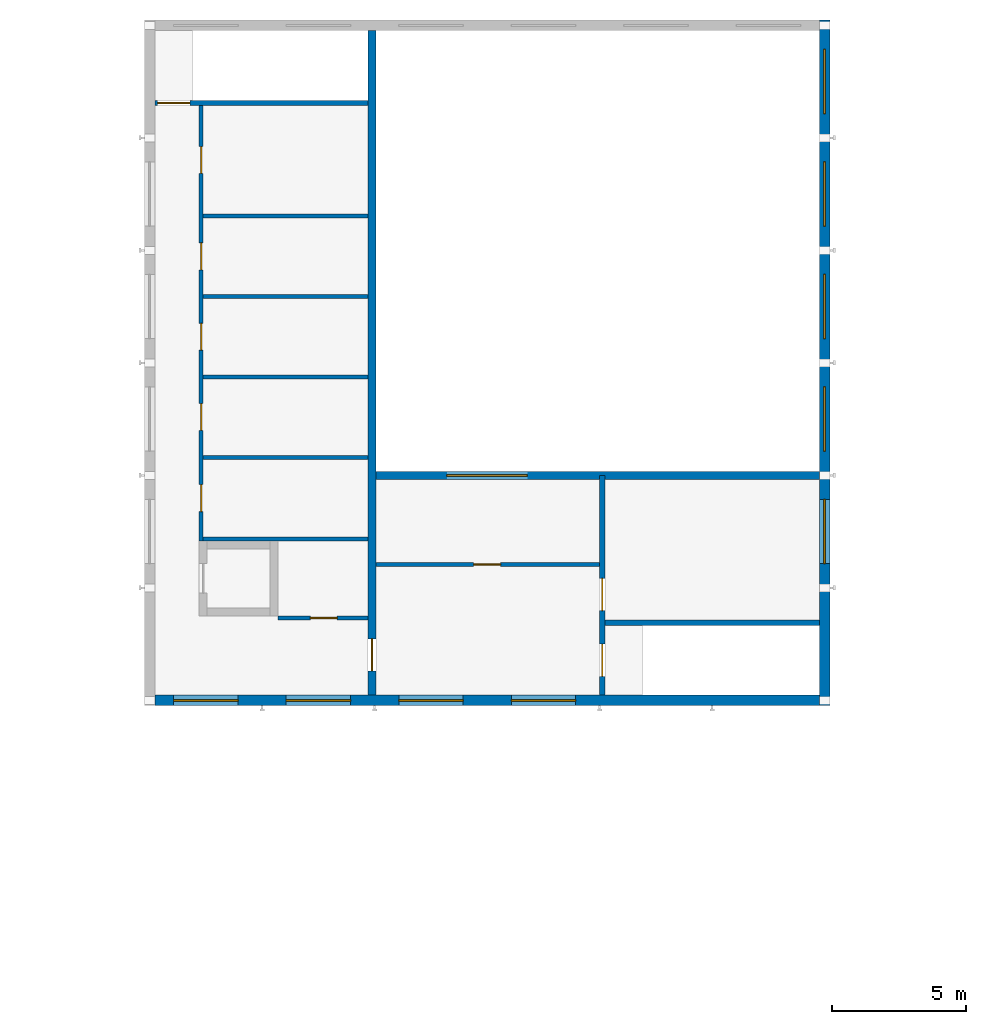
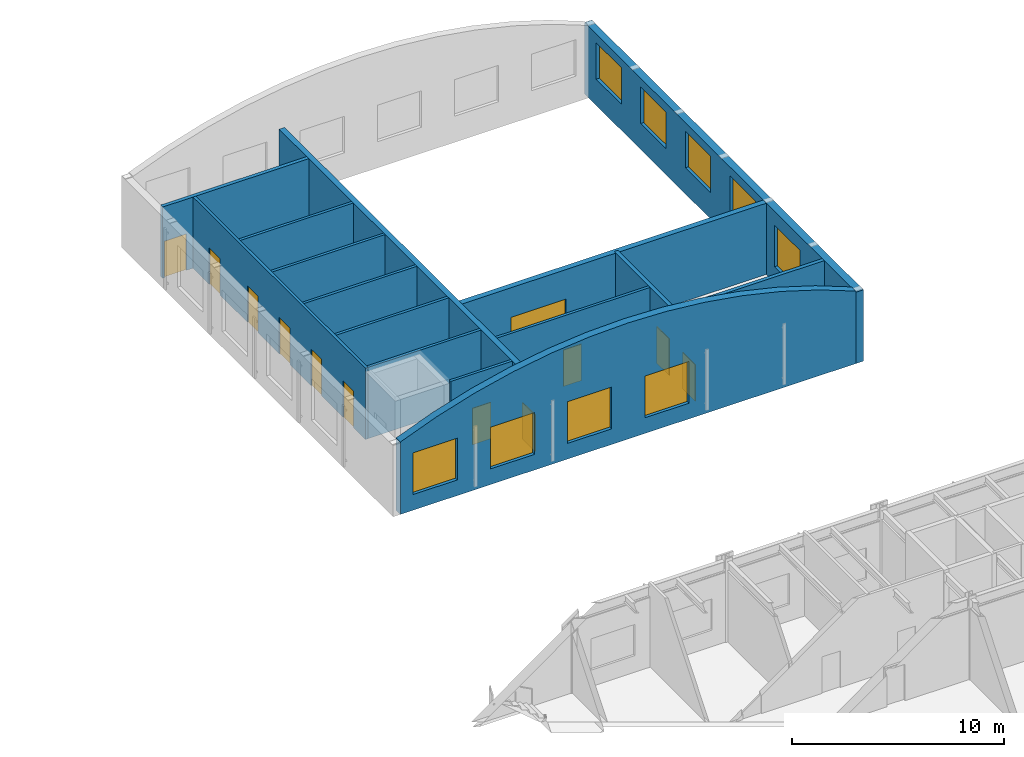
# One storey, part 84 of 127: 15 walls, 11 doors, 10 windows, 21 openings.
"""IFC4 building model written with IfcOpenShell, lengths in metres."""

from ifc_helpers import new_model, si_unit, direction, frame, frame_2d, origin, place, context, subcontext, project, spatial, polyline, rectangle, outline, extrude, material, layer, layer_set, type_object, element, fill, save


model = new_model("IFC4")

# Units and contexts
model_context = context("Model", 3, precision=1e-05, world=origin(), true_north=direction((0.0, 1.0)))
body_context = subcontext(model_context, "Body", "Model", "MODEL_VIEW")
ifc_project = project(units=[si_unit("LENGTHUNIT", "METRE"), si_unit("AREAUNIT", "SQUARE_METRE"), si_unit("VOLUMEUNIT", "CUBIC_METRE"), si_unit("PLANEANGLEUNIT", "RADIAN"), si_unit("MASSUNIT", "GRAM", prefix="KILO")], contexts=[model_context])

# Site, building, storey
site_placement = place(None, origin())
site = spatial("IfcSite", under=ifc_project, at=site_placement, CompositionType="ELEMENT")
building_placement = place(site_placement, origin())
building = spatial("IfcBuilding", under=site, at=building_placement, Name="Ljudholm Concert House", CompositionType="ELEMENT")
storey_placement = place(building_placement, frame((0.0, 0.0, 5.39990234375)))
storey = spatial("IfcBuildingStorey", under=building, at=storey_placement, Name="L01", CompositionType="ELEMENT", Elevation=5.39990234375)

# Wall, openings, doors
ifc_material_1 = material(Name="Gypsum board on steel studs", Category="steel")
ifc_layer_1 = layer(ifc_material_1, 0.14990234375)
ifc_layer_set_1 = layer_set([ifc_layer_1], Name="Gypsum board on steel studs")
wall_type_1 = type_object("IfcWallType", Name="GYPSUM PARTITION 150", PredefinedType="PARTITIONING", material=ifc_layer_set_1)
wall_1_placement = place(storey_placement, frame((64.72509765625, 152.75, 0.0), z_axis=(0.0, 0.0, 1.0), x_axis=(0.0, 1.0, 0.0)))
wall_1 = element("IfcWall", 1, at=wall_1_placement, inside=storey, type_object=wall_type_1, Name="Room partition", PredefinedType="PARTITIONING", context=body_context, shape_type="SweptSolid", body=[
    extrude(rectangle(XDim=16.25, YDim=0.14990234375, at=frame_2d((8.125, 0.0))), origin(), (0.0, 0.0, 1.0), 4.10009765625),
])
opening_1_placement = place(wall_1_placement, frame((1.10009765625, 0.0, 0.0)))
opening_1 = element("IfcOpeningElement", 2, at=opening_1_placement, cuts=wall_1, Name="Opening D-E01-002", PredefinedType="OPENING", context=body_context, shape_type="SweptSolid", body=[
    extrude(rectangle(XDim=1.0, YDim=2.10009765625, at=frame_2d((0.5, 1.050048828125))), frame((0.0, 0.0849609375, 0.0), z_axis=(0.0, -1.0, 0.0), x_axis=(1.0, 0.0, 0.0)), (0.0, 0.0, 1.0), 0.169921875),
])
opening_2_placement = place(wall_1_placement, frame((4.125, 0.0, 0.0)))
opening_2 = element("IfcOpeningElement", 3, at=opening_2_placement, cuts=wall_1, Name="Opening D-E01-003", PredefinedType="OPENING", context=body_context, shape_type="SweptSolid", body=[
    extrude(rectangle(XDim=1.0, YDim=2.10009765625, at=frame_2d((0.5, 1.050048828125))), frame((0.0, 0.0849609375, 0.0), z_axis=(0.0, -1.0, 0.0), x_axis=(1.0, 0.0, 0.0)), (0.0, 0.0, 1.0), 0.169921875),
])
opening_3_placement = place(wall_1_placement, frame((7.125, 0.0, 0.0)))
opening_3 = element("IfcOpeningElement", 4, at=opening_3_placement, cuts=wall_1, Name="Opening D-E01-004", PredefinedType="OPENING", context=body_context, shape_type="SweptSolid", body=[
    extrude(rectangle(XDim=1.0, YDim=2.10009765625, at=frame_2d((0.5, 1.050048828125))), frame((0.0, 0.0849609375, 0.0), z_axis=(0.0, -1.0, 0.0), x_axis=(1.0, 0.0, 0.0)), (0.0, 0.0, 1.0), 0.169921875),
])
opening_4_placement = place(wall_1_placement, frame((10.125, 0.0, 0.0)))
opening_4 = element("IfcOpeningElement", 5, at=opening_4_placement, cuts=wall_1, Name="Opening D-E01-005", PredefinedType="OPENING", context=body_context, shape_type="SweptSolid", body=[
    extrude(rectangle(XDim=1.0, YDim=2.10009765625, at=frame_2d((0.5, 1.050048828125))), frame((0.0, 0.0849609375, 0.0), z_axis=(0.0, -1.0, 0.0), x_axis=(1.0, 0.0, 0.0)), (0.0, 0.0, 1.0), 0.169921875),
])
opening_5_placement = place(wall_1_placement, frame((13.72509765625, 0.0, 0.0)))
opening_5 = element("IfcOpeningElement", 6, at=opening_5_placement, cuts=wall_1, Name="Opening D-E01-006", PredefinedType="OPENING", context=body_context, shape_type="SweptSolid", body=[
    extrude(rectangle(XDim=1.0, YDim=2.10009765625, at=frame_2d((0.5, 1.050048828125))), frame((0.0, 0.0849609375, 0.0), z_axis=(0.0, -1.0, 0.0), x_axis=(1.0, 0.0, 0.0)), (0.0, 0.0, 1.0), 0.169921875),
])
ifc_material_2 = material(Name="Hollow metal door in steel frame", Category="steel")
door_type_1 = type_object("IfcDoorType", Name="SWING DOOR 1000x2100", OperationType="SINGLE_SWING_LEFT", PredefinedType="DOOR", material=ifc_material_2)
door_1_placement = place(opening_1_placement, frame((1.0, 0.0, 0.0), z_axis=(0.0, 0.0, 1.0), x_axis=(-1.0, 0.0, 0.0)))
door_1 = element("IfcDoor", 7, at=door_1_placement, inside=storey, type_object=door_type_1, Name="Practice Room 1 door", OperationType="SINGLE_SWING_LEFT", OverallHeight=2.10009765625, OverallWidth=1.0, PredefinedType="DOOR", context=body_context, shape_type="SweptSolid", body=[
    extrude(rectangle(XDim=1.0, YDim=2.10009765625, at=frame_2d((0.5, 1.050048828125))), frame((0.0, 0.02490234375, 0.0), z_axis=(0.0, -1.0, 0.0), x_axis=(1.0, 0.0, 0.0)), (0.0, 0.0, 1.0), 0.050048828125),
])
fill(opening_1, door_1)
door_2_placement = place(opening_2_placement, frame((1.0, 0.0, 0.0), z_axis=(0.0, 0.0, 1.0), x_axis=(-1.0, 0.0, 0.0)))
door_2 = element("IfcDoor", 8, at=door_2_placement, inside=storey, type_object=door_type_1, Name="Practice Room 2 door", OperationType="SINGLE_SWING_RIGHT", OverallHeight=2.10009765625, OverallWidth=1.0, PredefinedType="DOOR", context=body_context, shape_type="SweptSolid", body=[
    extrude(rectangle(XDim=1.0, YDim=2.10009765625, at=frame_2d((0.5, 1.050048828125))), frame((0.0, 0.02490234375, 0.0), z_axis=(0.0, -1.0, 0.0), x_axis=(1.0, 0.0, 0.0)), (0.0, 0.0, 1.0), 0.050048828125),
])
fill(opening_2, door_2)
door_3_placement = place(opening_3_placement, frame((1.0, 0.0, 0.0), z_axis=(0.0, 0.0, 1.0), x_axis=(-1.0, 0.0, 0.0)))
door_3 = element("IfcDoor", 9, at=door_3_placement, inside=storey, type_object=door_type_1, Name="Practice Room 3 door", OperationType="SINGLE_SWING_RIGHT", OverallHeight=2.10009765625, OverallWidth=1.0, PredefinedType="DOOR", context=body_context, shape_type="SweptSolid", body=[
    extrude(rectangle(XDim=1.0, YDim=2.10009765625, at=frame_2d((0.5, 1.050048828125))), frame((0.0, 0.02490234375, 0.0), z_axis=(0.0, -1.0, 0.0), x_axis=(1.0, 0.0, 0.0)), (0.0, 0.0, 1.0), 0.050048828125),
])
fill(opening_3, door_3)
door_4_placement = place(opening_4_placement, frame((1.0, 0.0, 0.0), z_axis=(0.0, 0.0, 1.0), x_axis=(-1.0, 0.0, 0.0)))
door_4 = element("IfcDoor", 10, at=door_4_placement, inside=storey, type_object=door_type_1, Name="Practice Room 4 door", OperationType="SINGLE_SWING_RIGHT", OverallHeight=2.10009765625, OverallWidth=1.0, PredefinedType="DOOR", context=body_context, shape_type="SweptSolid", body=[
    extrude(rectangle(XDim=1.0, YDim=2.10009765625, at=frame_2d((0.5, 1.050048828125))), frame((0.0, 0.02490234375, 0.0), z_axis=(0.0, -1.0, 0.0), x_axis=(1.0, 0.0, 0.0)), (0.0, 0.0, 1.0), 0.050048828125),
])
fill(opening_4, door_4)
door_5_placement = place(opening_5_placement, frame((1.0, 0.0, 0.0), z_axis=(0.0, 0.0, 1.0), x_axis=(-1.0, 0.0, 0.0)))
door_5 = element("IfcDoor", 11, at=door_5_placement, inside=storey, type_object=door_type_1, Name="Dressing Room 2 door", OperationType="SINGLE_SWING_RIGHT", OverallHeight=2.10009765625, OverallWidth=1.0, PredefinedType="DOOR", context=body_context, shape_type="SweptSolid", body=[
    extrude(rectangle(XDim=1.0, YDim=2.10009765625, at=frame_2d((0.5, 1.050048828125))), frame((0.0, 0.02490234375, 0.0), z_axis=(0.0, -1.0, 0.0), x_axis=(1.0, 0.0, 0.0)), (0.0, 0.0, 1.0), 0.050048828125),
])
fill(opening_5, door_5)

# Walls
for number, where, z_axis, x_axis, name in (
    (12, (64.800048828125, 152.824951171875, 0.0), (0.0, 0.0, 1.0), (1.0, 0.0, 0.0), "Room partition"),
    (13, (64.800048828125, 155.875, 0.0), (0.0, 0.0, 1.0), (1.0, 0.0, 0.0), "Room partition"),
    (14, (64.800048828125, 158.875, 0.0), (0.0, 0.0, 1.0), (1.0, 0.0, 0.0), "Room partition"),
    (15, (64.800048828125, 161.875, 0.0), (0.0, 0.0, 1.0), (1.0, 0.0, 0.0), "Room partition"),
    (16, (64.800048828125, 164.875, 0.0), (0.0, 0.0, 1.0), (1.0, 0.0, 0.0), "Room partition"),
):
    element("IfcWall", number, at=place(storey_placement, frame(where, z_axis=z_axis, x_axis=x_axis)), inside=storey, type_object=wall_type_1, Name=name, PredefinedType="PARTITIONING", context=body_context, shape_type="SweptSolid", body=[
        extrude(rectangle(XDim=6.14990234375, YDim=0.14990234375, at=frame_2d((3.074951171875, 0.0))), origin(), (0.0, 0.0, 1.0), 4.10009765625),
    ])

# Wall, opening, door
wall_2_placement = place(storey_placement, frame((67.60009765625, 149.875, 0.0), z_axis=(0.0, 0.0, 1.0), x_axis=(1.0, 0.0, 0.0)))
wall_2 = element("IfcWall", 17, at=wall_2_placement, inside=storey, type_object=wall_type_1, Name="Store partition", PredefinedType="PARTITIONING", context=body_context, shape_type="SweptSolid", body=[
    extrude(rectangle(XDim=3.349853515625, YDim=0.14990234375, at=frame_2d((1.6748046875, 0.0))), origin(), (0.0, 0.0, 1.0), 4.10009765625),
])
opening_6_placement = place(wall_2_placement, frame((1.199951171875, 0.0, 0.0)))
opening_6 = element("IfcOpeningElement", 18, at=opening_6_placement, cuts=wall_2, Name="Opening D-E01-010", PredefinedType="OPENING", context=body_context, shape_type="SweptSolid", body=[
    extrude(rectangle(XDim=1.0, YDim=2.10009765625, at=frame_2d((0.5, 1.050048828125))), frame((0.0, 0.0849609375, 0.0), z_axis=(0.0, -1.0, 0.0), x_axis=(1.0, 0.0, 0.0)), (0.0, 0.0, 1.0), 0.169921875),
])
door_6_placement = place(opening_6_placement, origin())
door_6 = element("IfcDoor", 19, at=door_6_placement, inside=storey, type_object=door_type_1, Name="Music Library door", OperationType="SINGLE_SWING_LEFT", OverallHeight=2.10009765625, OverallWidth=1.0, PredefinedType="DOOR", context=body_context, shape_type="SweptSolid", body=[
    extrude(rectangle(XDim=1.0, YDim=2.10009765625, at=frame_2d((0.5, 1.050048828125))), frame((0.0, 0.02490234375, 0.0), z_axis=(0.0, -1.0, 0.0), x_axis=(1.0, 0.0, 0.0)), (0.0, 0.0, 1.0), 0.050048828125),
])
fill(opening_6, door_6)

wall_3_placement = place(storey_placement, frame((71.25, 151.875, 0.0), z_axis=(0.0, 0.0, 1.0), x_axis=(1.0, 0.0, 0.0)))
wall_3 = element("IfcWall", 20, at=wall_3_placement, inside=storey, type_object=wall_type_1, Name="Control room partition", PredefinedType="PARTITIONING", context=body_context, shape_type="SweptSolid", body=[
    extrude(rectangle(XDim=8.35009765625, YDim=0.14990234375, at=frame_2d((4.175048828125, 0.0))), origin(), (0.0, 0.0, 1.0), 4.10009765625),
])
opening_7_placement = place(wall_3_placement, frame((3.64990234375, 0.0, 0.0)))
opening_7 = element("IfcOpeningElement", 21, at=opening_7_placement, cuts=wall_3, Name="Opening D-E01-011", PredefinedType="OPENING", context=body_context, shape_type="SweptSolid", body=[
    extrude(rectangle(XDim=1.0, YDim=2.10009765625, at=frame_2d((0.5, 1.050048828125))), frame((0.0, 0.0849609375, 0.0), z_axis=(0.0, -1.0, 0.0), x_axis=(1.0, 0.0, 0.0)), (0.0, 0.0, 1.0), 0.169921875),
])
door_7_placement = place(opening_7_placement, origin())
door_7 = element("IfcDoor", 22, at=door_7_placement, inside=storey, type_object=door_type_1, Name="Control Room door", OperationType="SINGLE_SWING_RIGHT", OverallHeight=2.10009765625, OverallWidth=1.0, PredefinedType="DOOR", context=body_context, shape_type="SweptSolid", body=[
    extrude(rectangle(XDim=1.0, YDim=2.10009765625, at=frame_2d((0.5, 1.050048828125))), frame((0.0, 0.02490234375, 0.0), z_axis=(0.0, -1.0, 0.0), x_axis=(1.0, 0.0, 0.0)), (0.0, 0.0, 1.0), 0.050048828125),
])
fill(opening_7, door_7)

# Wall, openings, doors
ifc_material_3 = material(Name="Concrete 6,500 psi", Category="concrete")
ifc_layer_2 = layer(ifc_material_3, 0.199951171875)
ifc_layer_set_2 = layer_set([ifc_layer_2], Name="Concrete 6,500 psi")
wall_type_2 = type_object("IfcWallType", Name="RC WALL 200", PredefinedType="SOLIDWALL", material=ifc_layer_set_2)
wall_4_placement = place(storey_placement, frame((79.699951171875, 147.0, 0.0), z_axis=(0.0, 0.0, 1.0), x_axis=(0.0, 1.0, 0.0)))
wall_4 = element("IfcWall", 23, at=wall_4_placement, inside=storey, type_object=wall_type_2, Name="Foyer wall E", PredefinedType="SOLIDWALL", context=body_context, shape_type="SweptSolid", body=[
    extrude(rectangle(XDim=8.199951171875, YDim=0.199951171875, at=frame_2d((4.10009765625, 0.0))), origin(), (0.0, 0.0, 1.0), 4.10009765625),
])
opening_8_placement = place(wall_4_placement, frame((0.699951171875, 0.0, 0.0)))
opening_8 = element("IfcOpeningElement", 24, at=opening_8_placement, cuts=wall_4, Name="Opening D-E01-009", PredefinedType="OPENING", context=body_context, shape_type="SweptSolid", body=[
    extrude(rectangle(XDim=1.199951171875, YDim=2.10009765625, at=frame_2d((0.60009765625, 1.050048828125))), frame((0.0, 0.10986328125, 0.0), z_axis=(0.0, -1.0, 0.0), x_axis=(1.0, 0.0, 0.0)), (0.0, 0.0, 1.0), 0.219970703125),
])
opening_9_placement = place(wall_4_placement, frame((3.14990234375, 0.0, 0.0)))
opening_9 = element("IfcOpeningElement", 25, at=opening_9_placement, cuts=wall_4, Name="Opening D-E01-012", PredefinedType="OPENING", context=body_context, shape_type="SweptSolid", body=[
    extrude(rectangle(XDim=1.199951171875, YDim=2.10009765625, at=frame_2d((0.60009765625, 1.050048828125))), frame((0.0, 0.10986328125, 0.0), z_axis=(0.0, -1.0, 0.0), x_axis=(1.0, 0.0, 0.0)), (0.0, 0.0, 1.0), 0.219970703125),
])
ifc_material_4 = material(Name="Hollow metal door in steel frame", Category="steel")
door_type_2 = type_object("IfcDoorType", Name="SWING DOOR 1200x2100", OperationType="SINGLE_SWING_LEFT", PredefinedType="DOOR", material=ifc_material_4)
door_8_placement = place(opening_8_placement, frame((1.199951171875, 0.0, 0.0), z_axis=(0.0, 0.0, 1.0), x_axis=(-1.0, 0.0, 0.0)))
door_8 = element("IfcDoor", 26, at=door_8_placement, inside=storey, type_object=door_type_2, Name="Exit stair S2 door", OperationType="SINGLE_SWING_LEFT", OverallHeight=2.10009765625, OverallWidth=1.199951171875, PredefinedType="DOOR", context=body_context, shape_type="SweptSolid", body=[
    extrude(rectangle(XDim=1.199951171875, YDim=2.10009765625, at=frame_2d((0.60009765625, 1.050048828125))), frame((0.0, 0.02490234375, 0.0), z_axis=(0.0, -1.0, 0.0), x_axis=(1.0, 0.0, 0.0)), (0.0, 0.0, 1.0), 0.050048828125),
])
fill(opening_8, door_8)
door_9_placement = place(opening_9_placement, frame((1.199951171875, 0.0, 0.0), z_axis=(0.0, 0.0, 1.0), x_axis=(-1.0, 0.0, 0.0)))
door_9 = element("IfcDoor", 27, at=door_9_placement, inside=storey, type_object=door_type_2, Name="Ensemble Room door", OperationType="SINGLE_SWING_RIGHT", OverallHeight=2.10009765625, OverallWidth=1.199951171875, PredefinedType="DOOR", context=body_context, shape_type="SweptSolid", body=[
    extrude(rectangle(XDim=1.199951171875, YDim=2.10009765625, at=frame_2d((0.60009765625, 1.050048828125))), frame((0.0, 0.02490234375, 0.0), z_axis=(0.0, -1.0, 0.0), x_axis=(1.0, 0.0, 0.0)), (0.0, 0.0, 1.0), 0.050048828125),
])
fill(opening_9, door_9)

# Wall
wall_5_placement = place(storey_placement, frame((79.800048828125, 149.699951171875, 0.0), z_axis=(0.0, 0.0, 1.0), x_axis=(1.0, 0.0, 0.0)))
element("IfcWall", 28, at=wall_5_placement, inside=storey, type_object=wall_type_2, Name="Stair enclosure wall S2", PredefinedType="SOLIDWALL", context=body_context, shape_type="SweptSolid", body=[
    extrude(rectangle(XDim=8.0, YDim=0.199951171875, at=frame_2d((4.0, 0.0))), origin(), (0.0, 0.0, 1.0), 4.10009765625),
])

# Wall, opening, door
wall_6_placement = place(storey_placement, frame((63.0, 169.10009765625, 0.0), z_axis=(0.0, 0.0, 1.0), x_axis=(1.0, 0.0, 0.0)))
wall_6 = element("IfcWall", 29, at=wall_6_placement, inside=storey, type_object=wall_type_2, Name="Stair enclosure wall S1", PredefinedType="SOLIDWALL", context=body_context, shape_type="SweptSolid", body=[
    extrude(rectangle(XDim=7.949951171875, YDim=0.199951171875, at=frame_2d((3.97509765625, 0.0))), origin(), (0.0, 0.0, 1.0), 4.10009765625),
])
opening_10_placement = place(wall_6_placement, frame((0.10009765625, 0.0, 0.0)))
opening_10 = element("IfcOpeningElement", 30, at=opening_10_placement, cuts=wall_6, Name="Opening D-E01-008", PredefinedType="OPENING", context=body_context, shape_type="SweptSolid", body=[
    extrude(rectangle(XDim=1.199951171875, YDim=2.10009765625, at=frame_2d((0.60009765625, 1.050048828125))), frame((0.0, 0.10986328125, 0.0), z_axis=(0.0, -1.0, 0.0), x_axis=(1.0, 0.0, 0.0)), (0.0, 0.0, 1.0), 0.219970703125),
])
door_10_placement = place(opening_10_placement, origin())
door_10 = element("IfcDoor", 31, at=door_10_placement, inside=storey, type_object=door_type_2, Name="Exit stair S1 door", OperationType="SINGLE_SWING_LEFT", OverallHeight=2.10009765625, OverallWidth=1.199951171875, PredefinedType="DOOR", context=body_context, shape_type="SweptSolid", body=[
    extrude(rectangle(XDim=1.199951171875, YDim=2.10009765625, at=frame_2d((0.60009765625, 1.050048828125))), frame((0.0, 0.02490234375, 0.0), z_axis=(0.0, -1.0, 0.0), x_axis=(1.0, 0.0, 0.0)), (0.0, 0.0, 1.0), 0.050048828125),
])
fill(opening_10, door_10)

ifc_material_5 = material(Name="Concrete 6,500 psi", Category="concrete")
ifc_layer_3 = layer(ifc_material_5, 0.300048828125)
ifc_layer_set_3 = layer_set([ifc_layer_3], Name="Concrete 6,500 psi")
wall_type_3 = type_object("IfcWallType", Name="RC WALL 300", PredefinedType="SOLIDWALL", material=ifc_layer_set_3)
wall_7_placement = place(storey_placement, frame((71.10009765625, 147.0, 0.0), z_axis=(0.0, 0.0, 1.0), x_axis=(0.0, 1.0, 0.0)))
wall_7 = element("IfcWall", 32, at=wall_7_placement, inside=storey, type_object=wall_type_3, Name="Hall wall W", PredefinedType="SOLIDWALL", context=body_context, shape_type="SweptSolid", body=[
    extrude(rectangle(XDim=24.800048828125, YDim=0.300048828125, at=frame_2d((12.39990234375, 0.0))), origin(), (0.0, 0.0, 1.0), 4.10009765625),
])
opening_11_placement = place(wall_7_placement, frame((0.89990234375, 0.0, 0.0)))
opening_11 = element("IfcOpeningElement", 33, at=opening_11_placement, cuts=wall_7, Name="Opening D-E01-007", PredefinedType="OPENING", context=body_context, shape_type="SweptSolid", body=[
    extrude(rectangle(XDim=1.199951171875, YDim=2.10009765625, at=frame_2d((0.60009765625, 1.050048828125))), frame((0.0, 0.159912109375, 0.0), z_axis=(0.0, -1.0, 0.0), x_axis=(1.0, 0.0, 0.0)), (0.0, 0.0, 1.0), 0.320068359375),
])
door_11_placement = place(opening_11_placement, frame((1.199951171875, 0.0, 0.0), z_axis=(0.0, 0.0, 1.0), x_axis=(-1.0, 0.0, 0.0)))
door_11 = element("IfcDoor", 34, at=door_11_placement, inside=storey, type_object=door_type_2, Name="Foyer door", OperationType="SINGLE_SWING_RIGHT", OverallHeight=2.10009765625, OverallWidth=1.199951171875, PredefinedType="DOOR", context=body_context, shape_type="SweptSolid", body=[
    extrude(rectangle(XDim=1.199951171875, YDim=2.10009765625, at=frame_2d((0.60009765625, 1.050048828125))), frame((0.0, 0.02490234375, 0.0), z_axis=(0.0, -1.0, 0.0), x_axis=(1.0, 0.0, 0.0)), (0.0, 0.0, 1.0), 0.050048828125),
])
fill(opening_11, door_11)

# Wall, opening, window
wall_8_placement = place(storey_placement, frame((71.25, 155.199951171875, 0.0), z_axis=(0.0, 0.0, 1.0), x_axis=(1.0, 0.0, 0.0)))
wall_8 = element("IfcWall", 35, at=wall_8_placement, inside=storey, type_object=wall_type_3, Name="Hall wall S", PredefinedType="SOLIDWALL", context=body_context, shape_type="SweptSolid", body=[
    extrude(rectangle(XDim=16.550048828125, YDim=0.300048828125, at=frame_2d((8.27490234375, 0.0))), origin(), (0.0, 0.0, 1.0), 4.10009765625),
])
opening_12_placement = place(wall_8_placement, frame((2.64990234375, 0.0, 1.199951171875)))
opening_12 = element("IfcOpeningElement", 36, at=opening_12_placement, cuts=wall_8, Name="Opening X-E01-020", PredefinedType="OPENING", context=body_context, shape_type="SweptSolid", body=[
    extrude(rectangle(XDim=3.0, YDim=1.199951171875, at=frame_2d((1.5, 0.60009765625))), frame((0.0, 0.159912109375, 0.0), z_axis=(0.0, -1.0, 0.0), x_axis=(1.0, 0.0, 0.0)), (0.0, 0.0, 1.0), 0.320068359375),
])
ifc_material_6 = material(Name="Laminated acoustic glazing in steel frame", Category="steel")
window_type_1 = type_object("IfcWindowType", Name="FIXED WINDOW 3000x1200", PartitioningType="SINGLE_PANEL", PredefinedType="WINDOW", material=ifc_material_6)
window_1_placement = place(opening_12_placement, origin())
window_1 = element("IfcWindow", 37, at=window_1_placement, inside=storey, type_object=window_type_1, Name="Control room window", OverallHeight=1.199951171875, OverallWidth=3.0, PartitioningType="SINGLE_PANEL", PredefinedType="WINDOW", context=body_context, shape_type="SweptSolid", body=[
    extrude(rectangle(XDim=3.0, YDim=1.199951171875, at=frame_2d((1.5, 0.60009765625))), frame((0.0, 0.030029296875, 0.0), z_axis=(0.0, -1.0, 0.0), x_axis=(1.0, 0.0, 0.0)), (0.0, 0.0, 1.0), 0.06005859375),
])
fill(opening_12, window_1)

# Wall, openings, windows
ifc_material_7 = material(Name="Concrete 6,500 psi", Category="concrete")
ifc_layer_4 = layer(ifc_material_7, 0.39990234375)
ifc_layer_set_4 = layer_set([ifc_layer_4], Name="Concrete 6,500 psi")
wall_type_4 = type_object("IfcWallType", Name="RC WALL 400", PredefinedType="SOLIDWALL", material=ifc_layer_set_4)
wall_9_placement = place(storey_placement, frame((88.0, 146.60009765625, 0.0), z_axis=(0.0, 0.0, 1.0), x_axis=(0.0, 1.0, 0.0)))
wall_9 = element("IfcWall", 38, at=wall_9_placement, inside=storey, type_object=wall_type_4, Name="Outer wall E", PredefinedType="SOLIDWALL", context=body_context, shape_type="SweptSolid", body=[
    extrude(rectangle(XDim=25.599853515625, YDim=0.39990234375, at=frame_2d((12.7998046875, 0.0))), origin(), (0.0, 0.0, 1.0), 4.10009765625),
])
opening_13_placement = place(wall_9_placement, frame((5.300048828125, 0.0, 0.89990234375)))
opening_13 = element("IfcOpeningElement", 39, at=opening_13_placement, cuts=wall_9, Name="Opening X-E01-015", PredefinedType="OPENING", context=body_context, shape_type="SweptSolid", body=[
    extrude(rectangle(XDim=2.39990234375, YDim=2.39990234375, at=frame_2d((1.199951171875, 1.199951171875))), frame((0.0, 0.2099609375, 0.0), z_axis=(0.0, -1.0, 0.0), x_axis=(1.0, 0.0, 0.0)), (0.0, 0.0, 1.0), 0.419921875),
])
opening_14_placement = place(wall_9_placement, frame((9.5, 0.0, 1.5)))
opening_14 = element("IfcOpeningElement", 40, at=opening_14_placement, cuts=wall_9, Name="Opening X-E01-016", PredefinedType="OPENING", context=body_context, shape_type="SweptSolid", body=[
    extrude(rectangle(XDim=2.39990234375, YDim=2.10009765625, at=frame_2d((1.199951171875, 1.050048828125))), frame((0.0, 0.2099609375, 0.0), z_axis=(0.0, -1.0, 0.0), x_axis=(1.0, 0.0, 0.0)), (0.0, 0.0, 1.0), 0.419921875),
])
opening_15_placement = place(wall_9_placement, frame((13.699951171875, 0.0, 1.5)))
opening_15 = element("IfcOpeningElement", 41, at=opening_15_placement, cuts=wall_9, Name="Opening X-E01-017", PredefinedType="OPENING", context=body_context, shape_type="SweptSolid", body=[
    extrude(rectangle(XDim=2.39990234375, YDim=2.10009765625, at=frame_2d((1.199951171875, 1.050048828125))), frame((0.0, 0.2099609375, 0.0), z_axis=(0.0, -1.0, 0.0), x_axis=(1.0, 0.0, 0.0)), (0.0, 0.0, 1.0), 0.419921875),
])
opening_16_placement = place(wall_9_placement, frame((17.89990234375, 0.0, 1.5)))
opening_16 = element("IfcOpeningElement", 42, at=opening_16_placement, cuts=wall_9, Name="Opening X-E01-018", PredefinedType="OPENING", context=body_context, shape_type="SweptSolid", body=[
    extrude(rectangle(XDim=2.39990234375, YDim=2.10009765625, at=frame_2d((1.199951171875, 1.050048828125))), frame((0.0, 0.2099609375, 0.0), z_axis=(0.0, -1.0, 0.0), x_axis=(1.0, 0.0, 0.0)), (0.0, 0.0, 1.0), 0.419921875),
])
opening_17_placement = place(wall_9_placement, frame((22.10009765625, 0.0, 1.5)))
opening_17 = element("IfcOpeningElement", 43, at=opening_17_placement, cuts=wall_9, Name="Opening X-E01-019", PredefinedType="OPENING", context=body_context, shape_type="SweptSolid", body=[
    extrude(rectangle(XDim=2.39990234375, YDim=2.10009765625, at=frame_2d((1.199951171875, 1.050048828125))), frame((0.0, 0.2099609375, 0.0), z_axis=(0.0, -1.0, 0.0), x_axis=(1.0, 0.0, 0.0)), (0.0, 0.0, 1.0), 0.419921875),
])
ifc_material_8 = material(Name="Aluminium frame, impact glazing", Category="aluminium")
window_type_2 = type_object("IfcWindowType", Name="FIXED WINDOW 2400x2100", PartitioningType="SINGLE_PANEL", PredefinedType="WINDOW", material=ifc_material_8)
window_2_placement = place(opening_14_placement, origin())
window_2 = element("IfcWindow", 44, at=window_2_placement, inside=storey, type_object=window_type_2, Name="Clerestory window", OverallHeight=2.10009765625, OverallWidth=2.39990234375, PartitioningType="SINGLE_PANEL", PredefinedType="WINDOW", context=body_context, shape_type="SweptSolid", body=[
    extrude(rectangle(XDim=2.39990234375, YDim=2.10009765625, at=frame_2d((1.199951171875, 1.050048828125))), frame((0.0, 0.030029296875, 0.0), z_axis=(0.0, -1.0, 0.0), x_axis=(1.0, 0.0, 0.0)), (0.0, 0.0, 1.0), 0.06005859375),
])
fill(opening_14, window_2)
window_3_placement = place(opening_15_placement, origin())
window_3 = element("IfcWindow", 45, at=window_3_placement, inside=storey, type_object=window_type_2, Name="Clerestory window", OverallHeight=2.10009765625, OverallWidth=2.39990234375, PartitioningType="SINGLE_PANEL", PredefinedType="WINDOW", context=body_context, shape_type="SweptSolid", body=[
    extrude(rectangle(XDim=2.39990234375, YDim=2.10009765625, at=frame_2d((1.199951171875, 1.050048828125))), frame((0.0, 0.030029296875, 0.0), z_axis=(0.0, -1.0, 0.0), x_axis=(1.0, 0.0, 0.0)), (0.0, 0.0, 1.0), 0.06005859375),
])
fill(opening_15, window_3)
window_4_placement = place(opening_16_placement, origin())
window_4 = element("IfcWindow", 46, at=window_4_placement, inside=storey, type_object=window_type_2, Name="Clerestory window", OverallHeight=2.10009765625, OverallWidth=2.39990234375, PartitioningType="SINGLE_PANEL", PredefinedType="WINDOW", context=body_context, shape_type="SweptSolid", body=[
    extrude(rectangle(XDim=2.39990234375, YDim=2.10009765625, at=frame_2d((1.199951171875, 1.050048828125))), frame((0.0, 0.030029296875, 0.0), z_axis=(0.0, -1.0, 0.0), x_axis=(1.0, 0.0, 0.0)), (0.0, 0.0, 1.0), 0.06005859375),
])
fill(opening_16, window_4)
window_5_placement = place(opening_17_placement, origin())
window_5 = element("IfcWindow", 47, at=window_5_placement, inside=storey, type_object=window_type_2, Name="Clerestory window", OverallHeight=2.10009765625, OverallWidth=2.39990234375, PartitioningType="SINGLE_PANEL", PredefinedType="WINDOW", context=body_context, shape_type="SweptSolid", body=[
    extrude(rectangle(XDim=2.39990234375, YDim=2.10009765625, at=frame_2d((1.199951171875, 1.050048828125))), frame((0.0, 0.030029296875, 0.0), z_axis=(0.0, -1.0, 0.0), x_axis=(1.0, 0.0, 0.0)), (0.0, 0.0, 1.0), 0.06005859375),
])
fill(opening_17, window_5)
ifc_material_9 = material(Name="Aluminium frame, impact glazing", Category="aluminium")
window_type_3 = type_object("IfcWindowType", Name="FIXED WINDOW 2400x2400", PartitioningType="SINGLE_PANEL", PredefinedType="WINDOW", material=ifc_material_9)
window_6_placement = place(opening_13_placement, origin())
window_6 = element("IfcWindow", 48, at=window_6_placement, inside=storey, type_object=window_type_3, Name="Ensemble room window", OverallHeight=2.39990234375, OverallWidth=2.39990234375, PartitioningType="SINGLE_PANEL", PredefinedType="WINDOW", context=body_context, shape_type="SweptSolid", body=[
    extrude(rectangle(XDim=2.39990234375, YDim=2.39990234375, at=frame_2d((1.199951171875, 1.199951171875))), frame((0.0, 0.030029296875, 0.0), z_axis=(0.0, -1.0, 0.0), x_axis=(1.0, 0.0, 0.0)), (0.0, 0.0, 1.0), 0.06005859375),
])
fill(opening_13, window_6)

wall_10_placement = place(storey_placement, frame((63.0, 146.800048828125, 0.0), z_axis=(0.0, 0.0, 1.0), x_axis=(1.0, 0.0, 0.0)))
wall_10 = element("IfcWall", 49, at=wall_10_placement, inside=storey, type_object=wall_type_4, Name="Gable wall S", PredefinedType="SOLIDWALL", context=body_context, shape_type="SweptSolid", body=[
    extrude(outline(polyline([(0.0, 0.0), (24.800048828125, 0.0), (24.800048828125, 4.16552734375), (22.802001953125, 4.934814453125), (20.721435546875, 5.574462890625), (18.64111328125, 6.06298828125), (16.560791015625, 6.4072265625), (14.48046875, 6.612060546875), (12.39990234375, 6.679931640625), (10.319580078125, 6.612060546875), (8.2392578125, 6.4072265625), (6.15869140625, 6.06298828125), (4.07861328125, 5.574462890625), (1.998046875, 4.934814453125), (0.0, 4.16552734375), (0.0, 0.0)])), frame((0.0, 0.199951171875, 0.0), z_axis=(0.0, -1.0, 0.0), x_axis=(1.0, 0.0, 0.0)), (0.0, 0.0, 1.0), 0.39990234375),
])
opening_18_placement = place(wall_10_placement, frame((0.699951171875, 0.0, 0.89990234375)))
opening_18 = element("IfcOpeningElement", 50, at=opening_18_placement, cuts=wall_10, Name="Opening X-E01-001", PredefinedType="OPENING", context=body_context, shape_type="SweptSolid", body=[
    extrude(rectangle(XDim=2.39990234375, YDim=2.39990234375, at=frame_2d((1.199951171875, 1.199951171875))), frame((0.0, 0.2099609375, 0.0), z_axis=(0.0, -1.0, 0.0), x_axis=(1.0, 0.0, 0.0)), (0.0, 0.0, 1.0), 0.419921875),
])
opening_19_placement = place(wall_10_placement, frame((4.89990234375, 0.0, 0.89990234375)))
opening_19 = element("IfcOpeningElement", 51, at=opening_19_placement, cuts=wall_10, Name="Opening X-E01-002", PredefinedType="OPENING", context=body_context, shape_type="SweptSolid", body=[
    extrude(rectangle(XDim=2.39990234375, YDim=2.39990234375, at=frame_2d((1.199951171875, 1.199951171875))), frame((0.0, 0.2099609375, 0.0), z_axis=(0.0, -1.0, 0.0), x_axis=(1.0, 0.0, 0.0)), (0.0, 0.0, 1.0), 0.419921875),
])
opening_20_placement = place(wall_10_placement, frame((9.10009765625, 0.0, 0.89990234375)))
opening_20 = element("IfcOpeningElement", 52, at=opening_20_placement, cuts=wall_10, Name="Opening X-E01-003", PredefinedType="OPENING", context=body_context, shape_type="SweptSolid", body=[
    extrude(rectangle(XDim=2.39990234375, YDim=2.39990234375, at=frame_2d((1.199951171875, 1.199951171875))), frame((0.0, 0.2099609375, 0.0), z_axis=(0.0, -1.0, 0.0), x_axis=(1.0, 0.0, 0.0)), (0.0, 0.0, 1.0), 0.419921875),
])
opening_21_placement = place(wall_10_placement, frame((13.300048828125, 0.0, 0.89990234375)))
opening_21 = element("IfcOpeningElement", 53, at=opening_21_placement, cuts=wall_10, Name="Opening X-E01-004", PredefinedType="OPENING", context=body_context, shape_type="SweptSolid", body=[
    extrude(rectangle(XDim=2.39990234375, YDim=2.39990234375, at=frame_2d((1.199951171875, 1.199951171875))), frame((0.0, 0.2099609375, 0.0), z_axis=(0.0, -1.0, 0.0), x_axis=(1.0, 0.0, 0.0)), (0.0, 0.0, 1.0), 0.419921875),
])
window_7_placement = place(opening_18_placement, origin())
window_7 = element("IfcWindow", 54, at=window_7_placement, inside=storey, type_object=window_type_3, Name="Mezzanine window", OverallHeight=2.39990234375, OverallWidth=2.39990234375, PartitioningType="SINGLE_PANEL", PredefinedType="WINDOW", context=body_context, shape_type="SweptSolid", body=[
    extrude(rectangle(XDim=2.39990234375, YDim=2.39990234375, at=frame_2d((1.199951171875, 1.199951171875))), frame((0.0, 0.030029296875, 0.0), z_axis=(0.0, -1.0, 0.0), x_axis=(1.0, 0.0, 0.0)), (0.0, 0.0, 1.0), 0.06005859375),
])
fill(opening_18, window_7)
window_8_placement = place(opening_19_placement, origin())
window_8 = element("IfcWindow", 55, at=window_8_placement, inside=storey, type_object=window_type_3, Name="Mezzanine window", OverallHeight=2.39990234375, OverallWidth=2.39990234375, PartitioningType="SINGLE_PANEL", PredefinedType="WINDOW", context=body_context, shape_type="SweptSolid", body=[
    extrude(rectangle(XDim=2.39990234375, YDim=2.39990234375, at=frame_2d((1.199951171875, 1.199951171875))), frame((0.0, 0.030029296875, 0.0), z_axis=(0.0, -1.0, 0.0), x_axis=(1.0, 0.0, 0.0)), (0.0, 0.0, 1.0), 0.06005859375),
])
fill(opening_19, window_8)
window_9_placement = place(opening_20_placement, origin())
window_9 = element("IfcWindow", 56, at=window_9_placement, inside=storey, type_object=window_type_3, Name="Mezzanine window", OverallHeight=2.39990234375, OverallWidth=2.39990234375, PartitioningType="SINGLE_PANEL", PredefinedType="WINDOW", context=body_context, shape_type="SweptSolid", body=[
    extrude(rectangle(XDim=2.39990234375, YDim=2.39990234375, at=frame_2d((1.199951171875, 1.199951171875))), frame((0.0, 0.030029296875, 0.0), z_axis=(0.0, -1.0, 0.0), x_axis=(1.0, 0.0, 0.0)), (0.0, 0.0, 1.0), 0.06005859375),
])
fill(opening_20, window_9)
window_10_placement = place(opening_21_placement, origin())
window_10 = element("IfcWindow", 57, at=window_10_placement, inside=storey, type_object=window_type_3, Name="Mezzanine window", OverallHeight=2.39990234375, OverallWidth=2.39990234375, PartitioningType="SINGLE_PANEL", PredefinedType="WINDOW", context=body_context, shape_type="SweptSolid", body=[
    extrude(rectangle(XDim=2.39990234375, YDim=2.39990234375, at=frame_2d((1.199951171875, 1.199951171875))), frame((0.0, 0.030029296875, 0.0), z_axis=(0.0, -1.0, 0.0), x_axis=(1.0, 0.0, 0.0)), (0.0, 0.0, 1.0), 0.06005859375),
])
fill(opening_21, window_10)

save(model, "model.ifc")
